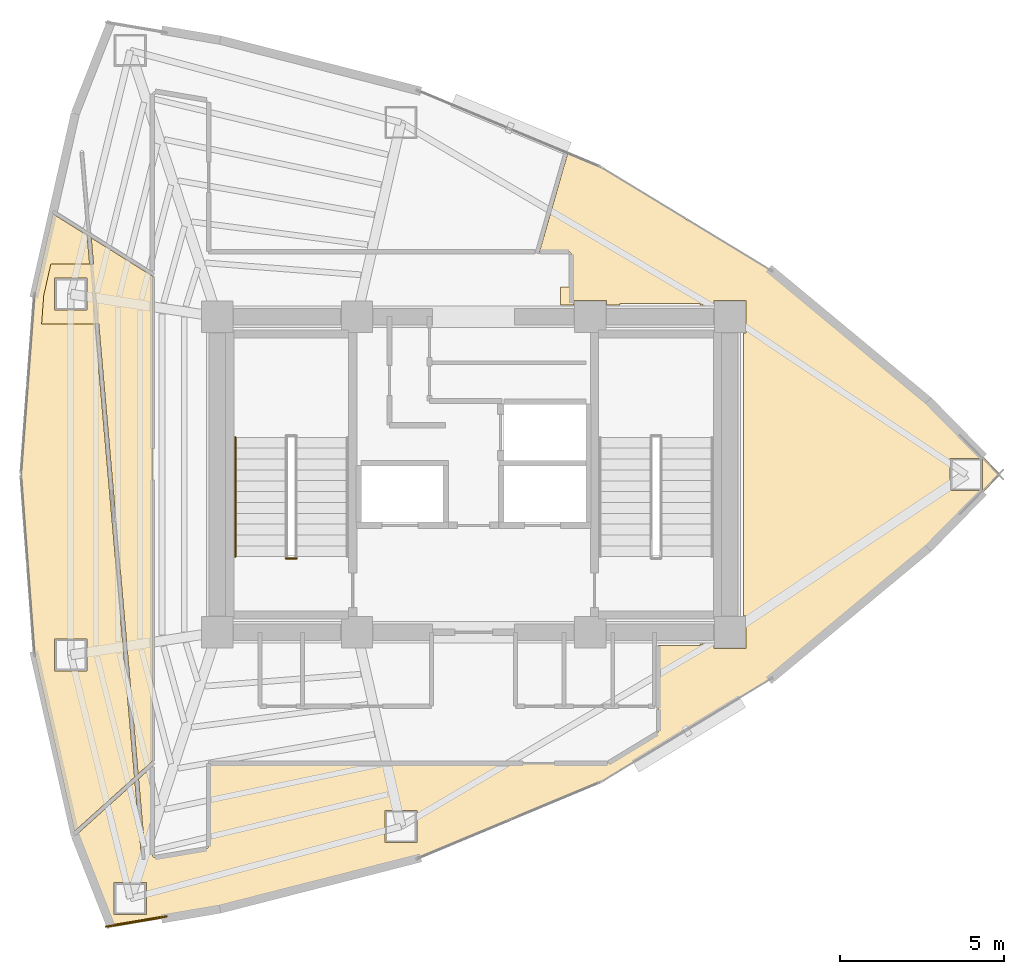
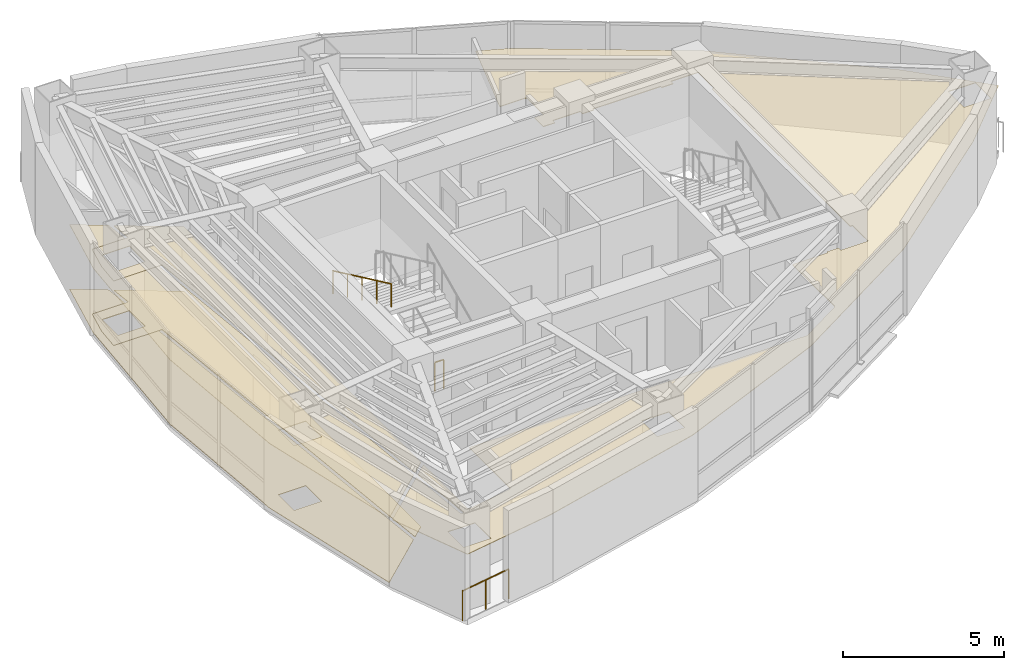
# One storey, part 14 of 16: 5 coverings, 3 railings.
"""IFC4 building model written with IfcOpenShell, lengths in metres."""

from ifc_helpers import new_model, si_unit, direction, frame, origin, origin_2d, place, context, subcontext, project, spatial, polyline, circle, outline, extrude, material, layer, layer_set, type_object, element, save


model = new_model("IFC4")

# Units and contexts
model_context = context("Model", 3, precision=1e-05, world=origin(), true_north=direction((0.0, 1.0)))
body_context = subcontext(model_context, "Body", "Model", "MODEL_VIEW")
ifc_project = project(units=[si_unit("LENGTHUNIT", "METRE"), si_unit("AREAUNIT", "SQUARE_METRE"), si_unit("VOLUMEUNIT", "CUBIC_METRE"), si_unit("PLANEANGLEUNIT", "RADIAN"), si_unit("MASSUNIT", "GRAM", prefix="KILO")], contexts=[model_context])

# Site, building, storey
site_placement = place(None, origin())
site = spatial("IfcSite", under=ifc_project, at=site_placement, CompositionType="ELEMENT")
building_placement = place(site_placement, origin())
building = spatial("IfcBuilding", under=site, at=building_placement, Name="Menara Vayukalpa", CompositionType="ELEMENT")
storey_placement = place(building_placement, frame((0.0, 0.0, 219.5400390625)))
storey = spatial("IfcBuildingStorey", under=building, at=storey_placement, Name="L55", CompositionType="ELEMENT", Elevation=219.5400390625)

# Coverings
ifc_material_1 = material(Name="Mineral Fibre Acoustic Ceiling Tile", Category="masonry")
ifc_layer_1 = layer(ifc_material_1, 0.02490234375)
ifc_layer_set_1 = layer_set([ifc_layer_1], Name="Mineral Fibre Acoustic Ceiling Tile")
covering_type_1 = type_object("IfcCoveringType", Name="COV-CLG1", PredefinedType="CEILING", material=ifc_layer_set_1)
covering_1_placement = place(storey_placement, frame((0.0, 0.0, 2.449951171875)))
element("IfcCovering", 1, at=covering_1_placement, inside=storey, type_object=covering_type_1, Name="L55 Open Plan Office Workplace Acoustic Ceiling", PredefinedType="CEILING", context=body_context, shape_type="SweptSolid", body=[
    extrude(outline(polyline([(11.84228515625, 22.0), (11.84228515625, 22.000732421875), (12.25390625, 27.48681640625), (12.25390625, 27.48828125), (12.79931640625, 29.912109375), (12.7998046875, 29.9130859375), (12.800048828125, 29.9140625), (12.800537109375, 29.9150390625), (12.801025390625, 29.915771484375), (12.8017578125, 29.91650390625), (12.802490234375, 29.917236328125), (12.80322265625, 29.91796875), (12.803955078125, 29.91845703125), (12.804931640625, 29.9189453125), (12.805908203125, 29.91943359375), (12.806884765625, 29.919677734375), (12.807861328125, 29.919921875), (12.808837890625, 29.919921875), (12.809814453125, 29.919921875), (12.810791015625, 29.919921875), (12.811767578125, 29.919677734375), (12.812744140625, 29.91943359375), (12.813720703125, 29.9189453125), (12.814453125, 29.91845703125), (13.83544921875, 29.280517578125), (13.836181640625, 29.27978515625), (13.837158203125, 29.279296875), (13.837890625, 29.278564453125), (13.83837890625, 29.277587890625), (13.839111328125, 29.27685546875), (13.83935546875, 29.27587890625), (13.83984375, 29.27490234375), (13.840087890625, 29.27392578125), (13.840087890625, 29.27294921875), (13.91650390625, 28.399169921875), (14.25390625, 28.399169921875), (14.25390625, 26.5791015625), (14.07568359375, 26.5791015625), (15.28173828125, 12.795654296875), (15.28173828125, 12.79443359375), (15.28173828125, 12.79345703125), (15.281494140625, 12.79248046875), (15.28125, 12.79150390625), (15.281005859375, 12.79052734375), (15.280517578125, 12.78955078125), (15.27978515625, 12.788818359375), (15.279296875, 12.7880859375), (15.278564453125, 12.787353515625), (13.47314453125, 11.16162109375), (13.472412109375, 11.160888671875), (13.471435546875, 11.160400390625), (13.470703125, 11.159912109375), (13.4697265625, 11.15966796875), (13.46875, 11.159423828125), (13.4677734375, 11.1591796875), (13.466796875, 11.1591796875), (13.4658203125, 11.1591796875), (13.46484375, 11.1591796875), (13.4638671875, 11.159423828125), (13.462890625, 11.15966796875), (13.4619140625, 11.16015625), (13.461181640625, 11.16064453125), (13.460205078125, 11.1611328125), (13.459716796875, 11.161865234375), (13.458984375, 11.16259765625), (13.458251953125, 11.163330078125), (13.457763671875, 11.1640625), (13.457275390625, 11.1650390625), (13.456787109375, 11.166015625), (13.45654296875, 11.1669921875), (12.25390625, 16.51171875), (12.25390625, 16.51318359375), (11.84228515625, 21.999267578125), (11.84228515625, 22.0)]), holes=[polyline([(13.833984375, 17.000732421875), (12.85400390625, 17.000732421875), (12.85400390625, 16.020751953125), (13.833984375, 16.020751953125), (13.833984375, 17.000732421875)]), polyline([(13.833984375, 27.979248046875), (12.85400390625, 27.979248046875), (12.85400390625, 26.999267578125), (13.833984375, 26.999267578125), (13.833984375, 27.979248046875)])]), origin(), (0.0, 0.0, 1.0), 0.02490234375),
])
covering_2_placement = place(storey_placement, frame((0.0, 0.0, 2.449951171875)))
element("IfcCovering", 2, at=covering_2_placement, inside=storey, type_object=covering_type_1, Name="L55 Open Plan Office Workplace Acoustic Ceiling", PredefinedType="CEILING", context=body_context, shape_type="SweptSolid", body=[
    extrude(outline(polyline([(32.909912109375, 16.85009765625), (32.909912109375, 16.7099609375), (33.889892578125, 16.7099609375), (33.889892578125, 17.68994140625), (33.81005859375, 17.68994140625), (33.81005859375, 26.31005859375), (33.889892578125, 26.31005859375), (33.889892578125, 27.2900390625), (32.909912109375, 27.2900390625), (32.909912109375, 27.14990234375), (32.489990234375, 27.14990234375), (32.489990234375, 27.2099609375), (30.06005859375, 27.2099609375), (30.06005859375, 27.14990234375), (29.639892578125, 27.14990234375), (29.639892578125, 27.2900390625), (28.659912109375, 27.2900390625), (28.659912109375, 27.14990234375), (28.239990234375, 27.14990234375), (28.239990234375, 27.7099609375), (28.570068359375, 27.7099609375), (28.570068359375, 28.69970703125), (28.569580078125, 28.706787109375), (28.568603515625, 28.713623046875), (28.56689453125, 28.72021484375), (28.564697265625, 28.726806640625), (28.561767578125, 28.73291015625), (28.55810546875, 28.73876953125), (28.553955078125, 28.744384765625), (28.549560546875, 28.74951171875), (28.54443359375, 28.75390625), (28.538818359375, 28.75830078125), (28.532958984375, 28.76171875), (28.52685546875, 28.7646484375), (28.520263671875, 28.76708984375), (28.513671875, 28.768798828125), (28.5068359375, 28.76953125), (28.499755859375, 28.77001953125), (27.616943359375, 28.77001953125), (27.615966796875, 28.77001953125), (27.614990234375, 28.770263671875), (27.614013671875, 28.7705078125), (27.61328125, 28.770751953125), (27.6123046875, 28.771240234375), (27.611572265625, 28.771728515625), (27.610595703125, 28.772216796875), (27.610107421875, 28.77294921875), (27.609375, 28.773681640625), (27.608642578125, 28.7744140625), (27.608154296875, 28.775146484375), (27.60791015625, 28.776123046875), (27.607421875, 28.777099609375), (27.607177734375, 28.77783203125), (27.607177734375, 28.77880859375), (27.60693359375, 28.77978515625), (27.60693359375, 28.78076171875), (27.607177734375, 28.78173828125), (27.607421875, 28.78271484375), (28.459228515625, 31.75390625), (28.459716796875, 31.754638671875), (28.4599609375, 31.755615234375), (28.46044921875, 31.756591796875), (28.461181640625, 31.75732421875), (28.4619140625, 31.758056640625), (28.46240234375, 31.7587890625), (28.46337890625, 31.75927734375), (28.464111328125, 31.759765625), (28.465087890625, 31.76025390625), (28.466064453125, 31.760498046875), (28.466796875, 31.7607421875), (28.468017578125, 31.760986328125), (28.468994140625, 31.760986328125), (28.469970703125, 31.760986328125), (28.470947265625, 31.7607421875), (28.4716796875, 31.760498046875), (28.472900390625, 31.76025390625), (29.478515625, 31.33935546875), (29.479248046875, 31.339111328125), (29.47998046875, 31.338623046875), (34.660888671875, 28.19140625), (34.662109375, 28.190673828125), (39.431884765625, 24.235107421875), (39.4326171875, 24.234375), (41.61962890625, 22.007080078125), (41.620361328125, 22.00634765625), (41.620849609375, 22.005615234375), (41.621337890625, 22.004638671875), (41.621826171875, 22.00390625), (41.6220703125, 22.0029296875), (41.622314453125, 22.001953125), (41.62255859375, 22.0009765625), (41.62255859375, 22.0), (41.62255859375, 21.9990234375), (41.622314453125, 21.998046875), (41.6220703125, 21.9970703125), (41.621826171875, 21.99609375), (41.621337890625, 21.995361328125), (41.620849609375, 21.994384765625), (41.620361328125, 21.99365234375), (41.61962890625, 21.992919921875), (39.4326171875, 19.765625), (39.431884765625, 19.764892578125), (34.662109375, 15.809326171875), (34.660888671875, 15.80859375), (29.47998046875, 12.661376953125), (29.479248046875, 12.660888671875), (29.478515625, 12.66064453125), (23.885986328125, 10.3212890625), (23.884765625, 10.32080078125), (17.8798828125, 8.789306640625), (17.879150390625, 8.7890625), (14.59423828125, 8.2314453125), (14.59326171875, 8.231201171875), (14.59228515625, 8.231201171875), (14.59130859375, 8.2314453125), (14.59033203125, 8.2314453125), (14.58935546875, 8.231689453125), (14.58837890625, 8.232177734375), (14.587646484375, 8.232666015625), (14.5869140625, 8.233154296875), (14.5859375, 8.233642578125), (14.585205078125, 8.234375), (14.584716796875, 8.235107421875), (14.583984375, 8.23583984375), (14.58349609375, 8.23681640625), (14.583251953125, 8.237548828125), (13.494140625, 11.010498046875), (13.493896484375, 11.011474609375), (13.49365234375, 11.012451171875), (13.493408203125, 11.01318359375), (13.493408203125, 11.014404296875), (13.49365234375, 11.015380859375), (13.49365234375, 11.01611328125), (13.493896484375, 11.01708984375), (13.494384765625, 11.01806640625), (13.49462890625, 11.018798828125), (13.4951171875, 11.019775390625), (13.49560546875, 11.0205078125), (13.496337890625, 11.021240234375), (13.4970703125, 11.02197265625), (13.498779296875, 11.023193359375), (15.280517578125, 12.62744140625), (15.28125, 12.6279296875), (15.281982421875, 12.628662109375), (15.28271484375, 12.62890625), (15.28369140625, 12.62939453125), (15.28466796875, 12.629638671875), (15.28564453125, 12.6298828125), (15.28662109375, 12.6298828125), (15.28759765625, 12.6298828125), (15.288330078125, 12.6298828125), (15.289306640625, 12.629638671875), (15.290283203125, 12.62939453125), (15.291259765625, 12.629150390625), (15.2919921875, 12.628662109375), (15.29296875, 12.628173828125), (15.293701171875, 12.627685546875), (15.294189453125, 12.626953125), (15.294921875, 12.626220703125), (15.29541015625, 12.62548828125), (15.2958984375, 12.62451171875), (15.29638671875, 12.623779296875), (15.296630859375, 12.622802734375), (15.296875, 12.621826171875), (15.297119140625, 12.620849609375), (15.501953125, 10.279052734375), (15.502685546875, 10.27294921875), (15.504150390625, 10.26708984375), (15.506103515625, 10.26171875), (15.508544921875, 10.256103515625), (15.511474609375, 10.251220703125), (15.514892578125, 10.246337890625), (15.518798828125, 10.241943359375), (15.523193359375, 10.238037109375), (15.52783203125, 10.234619140625), (15.532958984375, 10.2314453125), (15.5380859375, 10.228759765625), (15.543701171875, 10.226806640625), (15.54931640625, 10.225341796875), (15.55517578125, 10.224365234375), (15.56103515625, 10.22412109375), (15.56689453125, 10.22412109375), (15.57275390625, 10.22509765625), (15.57861328125, 10.226318359375), (15.583984375, 10.228271484375), (15.589599609375, 10.230712890625), (15.594482421875, 10.233642578125), (15.599365234375, 10.2373046875), (15.603759765625, 10.2412109375), (15.607666015625, 10.245361328125), (15.611083984375, 10.25), (15.6142578125, 10.255126953125), (15.616943359375, 10.260498046875), (15.618896484375, 10.26611328125), (15.62060546875, 10.271484375), (15.621337890625, 10.27734375), (15.62158203125, 10.283203125), (15.62158203125, 10.28955078125), (15.407470703125, 12.736328125), (15.407470703125, 12.737548828125), (15.407470703125, 12.738525390625), (15.40771484375, 12.739501953125), (15.407958984375, 12.740478515625), (15.408203125, 12.741455078125), (15.40869140625, 12.7421875), (15.4091796875, 12.7431640625), (15.409912109375, 12.743896484375), (15.41064453125, 12.74462890625), (15.813232421875, 13.107421875), (15.814208984375, 13.10791015625), (15.81494140625, 13.1083984375), (15.81591796875, 13.10888671875), (15.816650390625, 13.109375), (15.817626953125, 13.109619140625), (15.818603515625, 13.10986328125), (15.819580078125, 13.10986328125), (15.82080078125, 13.10986328125), (15.82177734375, 13.10986328125), (15.82275390625, 13.109619140625), (15.823486328125, 13.109130859375), (15.824462890625, 13.10888671875), (15.825439453125, 13.1083984375), (15.826171875, 13.107666015625), (15.826904296875, 13.107177734375), (15.82763671875, 13.1064453125), (15.828125, 13.105712890625), (15.828857421875, 13.104736328125), (15.8291015625, 13.103759765625), (15.82958984375, 13.102783203125), (15.829833984375, 13.101806640625), (15.829833984375, 13.100830078125), (15.830078125, 13.099853515625), (15.830078125, 10.421142578125), (15.830322265625, 10.414306640625), (15.831298828125, 10.407470703125), (15.8330078125, 10.40087890625), (15.835205078125, 10.39453125), (15.837890625, 10.388427734375), (15.841552734375, 10.382568359375), (15.845458984375, 10.376953125), (15.849853515625, 10.3720703125), (15.854736328125, 10.367431640625), (15.860107421875, 10.36328125), (15.865966796875, 10.35986328125), (15.8720703125, 10.356689453125), (15.87841796875, 10.354248046875), (15.884765625, 10.3525390625), (15.8916015625, 10.351318359375), (15.898193359375, 10.350830078125), (15.905029296875, 10.35107421875), (15.912109375, 10.351806640625), (17.471435546875, 10.61669921875), (17.478515625, 10.6181640625), (17.485107421875, 10.62060546875), (17.49169921875, 10.623291015625), (17.497802734375, 10.626708984375), (17.50341796875, 10.630859375), (17.508544921875, 10.635498046875), (17.513427734375, 10.640625), (17.517822265625, 10.646240234375), (17.521484375, 10.652099609375), (17.5244140625, 10.658447265625), (17.52685546875, 10.664794921875), (17.528564453125, 10.671875), (17.529541015625, 10.6787109375), (17.530029296875, 10.685791015625), (17.530029296875, 13.2099609375), (17.530029296875, 13.2109375), (17.5302734375, 13.2119140625), (17.530517578125, 13.212890625), (17.53076171875, 13.2138671875), (17.53125, 13.214599609375), (17.53173828125, 13.215576171875), (17.5322265625, 13.21630859375), (17.532958984375, 13.217041015625), (17.53369140625, 13.2177734375), (17.534423828125, 13.21826171875), (17.535400390625, 13.21875), (17.5361328125, 13.21923828125), (17.537109375, 13.219482421875), (17.5380859375, 13.2197265625), (17.5390625, 13.219970703125), (17.5400390625, 13.219970703125), (29.667236328125, 13.219970703125), (29.673828125, 13.22021484375), (29.68017578125, 13.22119140625), (29.686279296875, 13.22265625), (29.6923828125, 13.224609375), (29.6982421875, 13.22705078125), (29.7041015625, 13.230224609375), (31.18603515625, 14.130615234375), (31.1923828125, 14.134765625), (31.19775390625, 14.139404296875), (31.20263671875, 14.14453125), (31.20703125, 14.150146484375), (31.2109375, 14.15625), (31.214111328125, 14.16259765625), (31.216552734375, 14.16943359375), (31.218505859375, 14.176513671875), (31.219482421875, 14.183349609375), (31.219970703125, 14.19091796875), (31.219970703125, 14.849609375), (31.219482421875, 14.856689453125), (31.21875, 14.86376953125), (31.217041015625, 14.870361328125), (31.214599609375, 14.876708984375), (31.2119140625, 14.8828125), (31.211669921875, 14.883056640625), (31.211181640625, 14.8837890625), (31.210693359375, 14.884765625), (31.21044921875, 14.8857421875), (31.210205078125, 14.88671875), (31.2099609375, 14.8876953125), (31.2099609375, 14.888671875), (31.2099609375, 16.780029296875), (31.2099609375, 16.781005859375), (31.210205078125, 16.781982421875), (31.21044921875, 16.782958984375), (31.210693359375, 16.78369140625), (31.211181640625, 16.78466796875), (31.211669921875, 16.78564453125), (31.21240234375, 16.786376953125), (31.212890625, 16.787109375), (31.213623046875, 16.78759765625), (31.21435546875, 16.788330078125), (31.21533203125, 16.788818359375), (31.21630859375, 16.789306640625), (31.217041015625, 16.78955078125), (31.218017578125, 16.789794921875), (31.218994140625, 16.7900390625), (31.219970703125, 16.7900390625), (32.489990234375, 16.7900390625), (32.489990234375, 16.85009765625), (32.909912109375, 16.85009765625)]), holes=[polyline([(14.664794921875, 9.58740234375), (14.664794921875, 8.607421875), (15.644775390625, 8.607421875), (15.644775390625, 9.58740234375), (14.664794921875, 9.58740234375)]), polyline([(23.87939453125, 11.781494140625), (22.8994140625, 11.781494140625), (22.8994140625, 10.801513671875), (23.87939453125, 10.801513671875), (23.87939453125, 11.781494140625)]), polyline([(41.08056640625, 22.489990234375), (40.1005859375, 22.489990234375), (40.1005859375, 21.510009765625), (41.08056640625, 21.510009765625), (41.08056640625, 22.489990234375)])]), origin(), (0.0, 0.0, 1.0), 0.02490234375),
])
covering_3_placement = place(storey_placement, frame((0.0, 0.0, 2.449951171875)))
element("IfcCovering", 3, at=covering_3_placement, inside=storey, type_object=covering_type_1, Name="L55 Visitor Reception Lounge Acoustic Ceiling", PredefinedType="CEILING", context=body_context, shape_type="SweptSolid", body=[
    extrude(outline(polyline([(15.829833984375, 13.286376953125), (15.82958984375, 13.285400390625), (15.829345703125, 13.28466796875), (15.828857421875, 13.28369140625), (15.82861328125, 13.282958984375), (15.827880859375, 13.281982421875), (15.827392578125, 13.281494140625), (15.82666015625, 13.28076171875), (15.40869140625, 12.904541015625), (15.407958984375, 12.904052734375), (15.4072265625, 12.9033203125), (15.406494140625, 12.903076171875), (15.405517578125, 12.902587890625), (15.404541015625, 12.90234375), (15.403564453125, 12.902099609375), (15.402587890625, 12.902099609375), (15.401611328125, 12.902099609375), (15.40087890625, 12.902099609375), (15.39990234375, 12.90234375), (15.39892578125, 12.902587890625), (15.39794921875, 12.90283203125), (15.397216796875, 12.9033203125), (15.396240234375, 12.90380859375), (15.3955078125, 12.904296875), (15.39501953125, 12.905029296875), (15.394287109375, 12.90576171875), (15.393798828125, 12.906494140625), (15.393310546875, 12.907470703125), (15.392822265625, 12.908203125), (15.392578125, 12.9091796875), (15.392333984375, 12.91015625), (15.39208984375, 12.9111328125), (14.1962890625, 26.5791015625), (12.45654296875, 26.5791015625), (12.521728515625, 27.44775390625), (12.73583984375, 28.399169921875), (14.037109375, 28.399169921875), (13.968994140625, 29.17822265625), (13.968994140625, 29.17919921875), (13.968994140625, 29.18017578125), (13.968994140625, 29.18115234375), (13.96923828125, 29.181884765625), (13.9697265625, 29.182861328125), (13.97021484375, 29.183837890625), (13.970703125, 29.1845703125), (13.97119140625, 29.185302734375), (13.9716796875, 29.18603515625), (13.972412109375, 29.186767578125), (13.973388671875, 29.1875), (13.97412109375, 29.18798828125), (13.97509765625, 29.188232421875), (13.975830078125, 29.188720703125), (13.976806640625, 29.18896484375), (13.977783203125, 29.18896484375), (13.978759765625, 29.189208984375), (13.979736328125, 29.189208984375), (13.980712890625, 29.18896484375), (13.981689453125, 29.188720703125), (13.982421875, 29.1884765625), (13.9833984375, 29.18798828125), (13.984130859375, 29.1875), (15.8251953125, 28.037109375), (15.826171875, 28.03662109375), (15.826904296875, 28.035888671875), (15.82763671875, 28.03515625), (15.828125, 28.034423828125), (15.82861328125, 28.033447265625), (15.8291015625, 28.03271484375), (15.82958984375, 28.03173828125), (15.829833984375, 28.03076171875), (15.829833984375, 28.02978515625), (15.830078125, 28.02880859375), (15.830078125, 13.2880859375), (15.830078125, 13.287353515625), (15.829833984375, 13.286376953125)]), holes=[polyline([(13.833984375, 27.979248046875), (12.85400390625, 27.979248046875), (12.85400390625, 26.999267578125), (13.833984375, 26.999267578125), (13.833984375, 27.979248046875)])]), origin(), (0.0, 0.0, 1.0), 0.02490234375),
])
ifc_material_2 = material(Name="Porcelain Stoneware Floor Tile", Category="masonry")
ifc_layer_2 = layer(ifc_material_2, 0.02001953125)
ifc_layer_set_2 = layer_set([ifc_layer_2], Name="Porcelain Stoneware Floor Tile")
covering_type_2 = type_object("IfcCoveringType", Name="COV-FLR1", PredefinedType="FLOORING", material=ifc_layer_set_2)
covering_4_placement = place(storey_placement, origin())
element("IfcCovering", 4, at=covering_4_placement, inside=storey, type_object=covering_type_2, Name="L55 Open Plan Office Workplace Porcelain Flooring", PredefinedType="FLOORING", context=body_context, shape_type="SweptSolid", body=[
    extrude(outline(polyline([(11.84228515625, 22.0), (11.84228515625, 22.000732421875), (12.25390625, 27.48681640625), (12.25390625, 27.48828125), (12.79931640625, 29.912109375), (12.7998046875, 29.9130859375), (12.800048828125, 29.9140625), (12.800537109375, 29.9150390625), (12.801025390625, 29.915771484375), (12.8017578125, 29.91650390625), (12.802490234375, 29.917236328125), (12.80322265625, 29.91796875), (12.803955078125, 29.91845703125), (12.804931640625, 29.9189453125), (12.805908203125, 29.91943359375), (12.806884765625, 29.919677734375), (12.807861328125, 29.919921875), (12.808837890625, 29.919921875), (12.809814453125, 29.919921875), (12.810791015625, 29.919921875), (12.811767578125, 29.919677734375), (12.812744140625, 29.91943359375), (12.813720703125, 29.9189453125), (12.814453125, 29.91845703125), (13.83544921875, 29.280517578125), (13.836181640625, 29.27978515625), (13.837158203125, 29.279296875), (13.837890625, 29.278564453125), (13.83837890625, 29.277587890625), (13.839111328125, 29.27685546875), (13.83935546875, 29.27587890625), (13.83984375, 29.27490234375), (13.840087890625, 29.27392578125), (13.840087890625, 29.27294921875), (13.91650390625, 28.399169921875), (14.25390625, 28.399169921875), (14.25390625, 26.5791015625), (14.07568359375, 26.5791015625), (15.28173828125, 12.795654296875), (15.28173828125, 12.79443359375), (15.28173828125, 12.79345703125), (15.281494140625, 12.79248046875), (15.28125, 12.79150390625), (15.281005859375, 12.79052734375), (15.280517578125, 12.78955078125), (15.27978515625, 12.788818359375), (15.279296875, 12.7880859375), (15.278564453125, 12.787353515625), (13.47314453125, 11.16162109375), (13.472412109375, 11.160888671875), (13.471435546875, 11.160400390625), (13.470703125, 11.159912109375), (13.4697265625, 11.15966796875), (13.46875, 11.159423828125), (13.4677734375, 11.1591796875), (13.466796875, 11.1591796875), (13.4658203125, 11.1591796875), (13.46484375, 11.1591796875), (13.4638671875, 11.159423828125), (13.462890625, 11.15966796875), (13.4619140625, 11.16015625), (13.461181640625, 11.16064453125), (13.460205078125, 11.1611328125), (13.459716796875, 11.161865234375), (13.458984375, 11.16259765625), (13.458251953125, 11.163330078125), (13.457763671875, 11.1640625), (13.457275390625, 11.1650390625), (13.456787109375, 11.166015625), (13.45654296875, 11.1669921875), (12.25390625, 16.51171875), (12.25390625, 16.51318359375), (11.84228515625, 21.999267578125), (11.84228515625, 22.0)]), holes=[polyline([(13.833984375, 17.000732421875), (12.85400390625, 17.000732421875), (12.85400390625, 16.020751953125), (13.833984375, 16.020751953125), (13.833984375, 17.000732421875)]), polyline([(13.833984375, 27.979248046875), (12.85400390625, 27.979248046875), (12.85400390625, 26.999267578125), (13.833984375, 26.999267578125), (13.833984375, 27.979248046875)])]), origin(), (0.0, 0.0, 1.0), 0.02001953125),
])
covering_5_placement = place(storey_placement, origin())
element("IfcCovering", 5, at=covering_5_placement, inside=storey, type_object=covering_type_2, Name="L55 Visitor Reception Lounge Porcelain Flooring", PredefinedType="FLOORING", context=body_context, shape_type="SweptSolid", body=[
    extrude(outline(polyline([(15.829833984375, 13.286376953125), (15.82958984375, 13.285400390625), (15.829345703125, 13.28466796875), (15.828857421875, 13.28369140625), (15.82861328125, 13.282958984375), (15.827880859375, 13.281982421875), (15.827392578125, 13.281494140625), (15.82666015625, 13.28076171875), (15.40869140625, 12.904541015625), (15.407958984375, 12.904052734375), (15.4072265625, 12.9033203125), (15.406494140625, 12.903076171875), (15.405517578125, 12.902587890625), (15.404541015625, 12.90234375), (15.403564453125, 12.902099609375), (15.402587890625, 12.902099609375), (15.401611328125, 12.902099609375), (15.40087890625, 12.902099609375), (15.39990234375, 12.90234375), (15.39892578125, 12.902587890625), (15.39794921875, 12.90283203125), (15.397216796875, 12.9033203125), (15.396240234375, 12.90380859375), (15.3955078125, 12.904296875), (15.39501953125, 12.905029296875), (15.394287109375, 12.90576171875), (15.393798828125, 12.906494140625), (15.393310546875, 12.907470703125), (15.392822265625, 12.908203125), (15.392578125, 12.9091796875), (15.392333984375, 12.91015625), (15.39208984375, 12.9111328125), (14.1962890625, 26.5791015625), (12.45654296875, 26.5791015625), (12.521728515625, 27.44775390625), (12.73583984375, 28.399169921875), (14.037109375, 28.399169921875), (13.968994140625, 29.17822265625), (13.968994140625, 29.17919921875), (13.968994140625, 29.18017578125), (13.968994140625, 29.18115234375), (13.96923828125, 29.181884765625), (13.9697265625, 29.182861328125), (13.97021484375, 29.183837890625), (13.970703125, 29.1845703125), (13.97119140625, 29.185302734375), (13.9716796875, 29.18603515625), (13.972412109375, 29.186767578125), (13.973388671875, 29.1875), (13.97412109375, 29.18798828125), (13.97509765625, 29.188232421875), (13.975830078125, 29.188720703125), (13.976806640625, 29.18896484375), (13.977783203125, 29.18896484375), (13.978759765625, 29.189208984375), (13.979736328125, 29.189208984375), (13.980712890625, 29.18896484375), (13.981689453125, 29.188720703125), (13.982421875, 29.1884765625), (13.9833984375, 29.18798828125), (13.984130859375, 29.1875), (15.8251953125, 28.037109375), (15.826171875, 28.03662109375), (15.826904296875, 28.035888671875), (15.82763671875, 28.03515625), (15.828125, 28.034423828125), (15.82861328125, 28.033447265625), (15.8291015625, 28.03271484375), (15.82958984375, 28.03173828125), (15.829833984375, 28.03076171875), (15.829833984375, 28.02978515625), (15.830078125, 28.02880859375), (15.830078125, 13.2880859375), (15.830078125, 13.287353515625), (15.829833984375, 13.286376953125)]), holes=[polyline([(13.833984375, 27.979248046875), (12.85400390625, 27.979248046875), (12.85400390625, 26.999267578125), (13.833984375, 26.999267578125), (13.833984375, 27.979248046875)])]), origin(), (0.0, 0.0, 1.0), 0.02001953125),
])

# Railings
ifc_material_3 = material(Name="Laminated Glass and Stainless Steel 316 Guardrail", Category="steel")
railing_type_1 = type_object("IfcRailingType", Name="RLG-EXT115", PredefinedType="GUARDRAIL", material=ifc_material_3)
railing_1_placement = place(storey_placement, frame((14.413818359375, 8.241455078125, 0.0)))
element("IfcRailing", 6, at=railing_1_placement, inside=storey, type_object=railing_type_1, Name="L55 Column Corner Spandrel Guardrail 14-1", PredefinedType="GUARDRAIL", context=body_context, shape_type="SweptSolid", body=[
    extrude(circle(Radius=0.02392578125, at=origin_2d()), frame((0.0, 0.0, 1.1259765625), z_axis=(0.985895107684, 0.167364382844, 0.0), x_axis=(-0.167364382844, 0.985895107684, 0.0)), (0.0, 0.0, 1.0), 1.86865234375),
    extrude(circle(Radius=0.02099609375, at=origin_2d()), origin(), (0.0, 0.0, 1.0), 1.101806640625),
    extrude(circle(Radius=0.02099609375, at=origin_2d()), frame((0.921142578125, 0.15625, 0.0)), (0.0, 0.0, 1.0), 1.101806640625),
    extrude(circle(Radius=0.02099609375, at=origin_2d()), frame((1.84228515625, 0.312744140625, 0.0)), (0.0, 0.0, 1.0), 1.101806640625),
])
ifc_material_4 = material(Name="Powder-Coated Galvanised Steel Guardrail", Category="steel")
railing_type_2 = type_object("IfcRailingType", Name="RLG-STG110", PredefinedType="GUARDRAIL", material=ifc_material_4)
railing_2_placement = place(storey_placement, frame((20.2099609375, 19.449951171875, 0.0)))
element("IfcRailing", 7, at=railing_2_placement, inside=storey, type_object=railing_type_2, Name="L55 ST-1 stair guard 4", PredefinedType="GUARDRAIL", context=body_context, shape_type="SweptSolid", body=[
    extrude(circle(Radius=0.02392578125, at=origin_2d()), frame((0.0, 0.0, 1.09619140625), z_axis=(-1.0, 0.0, 0.0), x_axis=(0.0, -1.0, 0.0)), (0.0, 0.0, 1.0), 0.320068359375),
    extrude(circle(Radius=0.02099609375, at=origin_2d()), origin(), (0.0, 0.0, 1.0), 1.072021484375),
    extrude(circle(Radius=0.02099609375, at=origin_2d()), frame((-0.320068359375, 0.0, 0.0)), (0.0, 0.0, 1.0), 1.072021484375),
])
ifc_material_5 = material(Name="Stainless Steel 316 Tubular Handrail", Category="steel")
railing_type_3 = type_object("IfcRailingType", Name="RLG-STH090", PredefinedType="HANDRAIL", material=ifc_material_5)
railing_3_placement = place(storey_placement, frame((18.35009765625, 23.1298828125, 2.014892578125)))
element("IfcRailing", 8, at=railing_3_placement, inside=storey, type_object=railing_type_3, Name="L55 ST-1 stair handrail 2", PredefinedType="HANDRAIL", context=body_context, shape_type="SweptSolid", body=[
    extrude(circle(Radius=0.02392578125, at=origin_2d()), frame((0.0, 0.0, 0.8759765625), z_axis=(0.0, -0.90511648382, 0.425163675209), x_axis=(1.0, 0.0, 0.0)), (0.0, 0.0, 1.0), 4.010498046875),
    extrude(circle(Radius=0.02099609375, at=origin_2d()), origin(), (0.0, 0.0, 1.0), 0.851806640625),
    extrude(circle(Radius=0.02099609375, at=origin_2d()), frame((0.0, -0.907470703125, 0.42626953125)), (0.0, 0.0, 1.0), 0.851806640625),
    extrude(circle(Radius=0.02099609375, at=origin_2d()), frame((0.0, -1.81494140625, 0.8525390625)), (0.0, 0.0, 1.0), 0.851806640625),
    extrude(circle(Radius=0.02099609375, at=origin_2d()), frame((0.0, -2.722412109375, 1.27880859375)), (0.0, 0.0, 1.0), 0.851806640625),
    extrude(circle(Radius=0.02099609375, at=origin_2d()), frame((0.0, -3.6298828125, 1.705078125)), (0.0, 0.0, 1.0), 0.851806640625),
])

save(model, "model.ifc")
